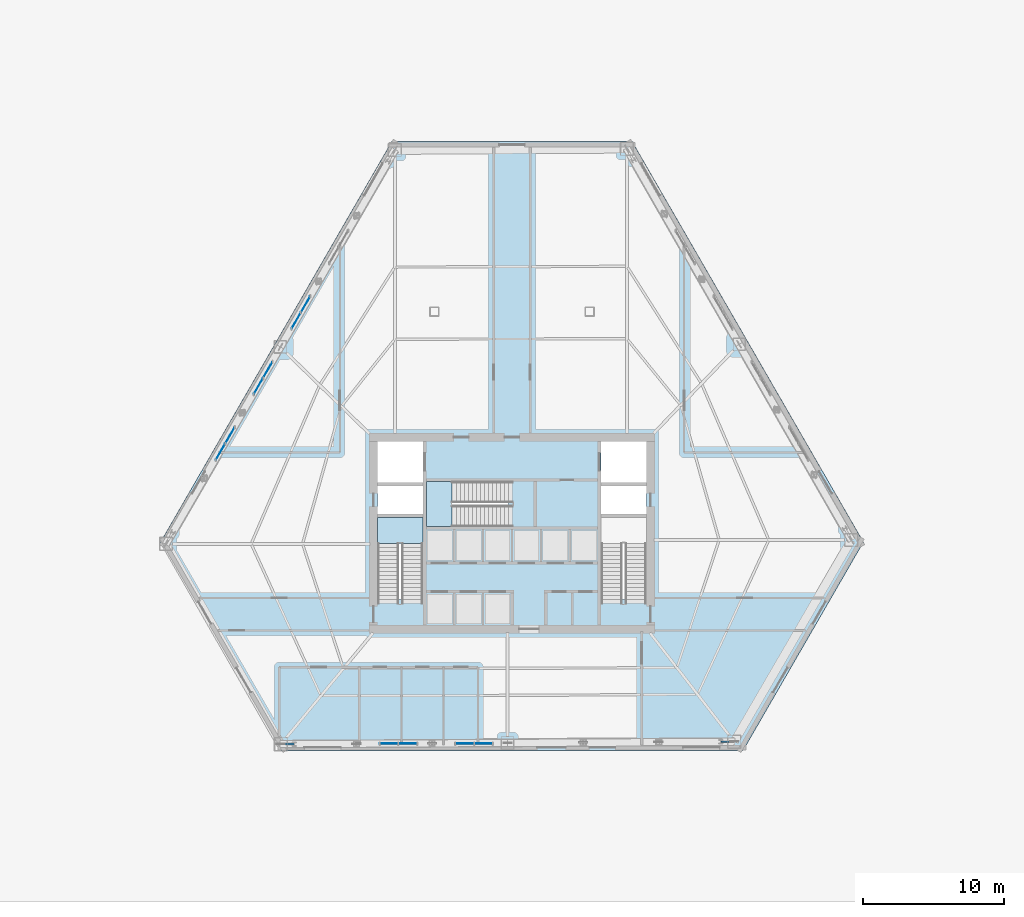
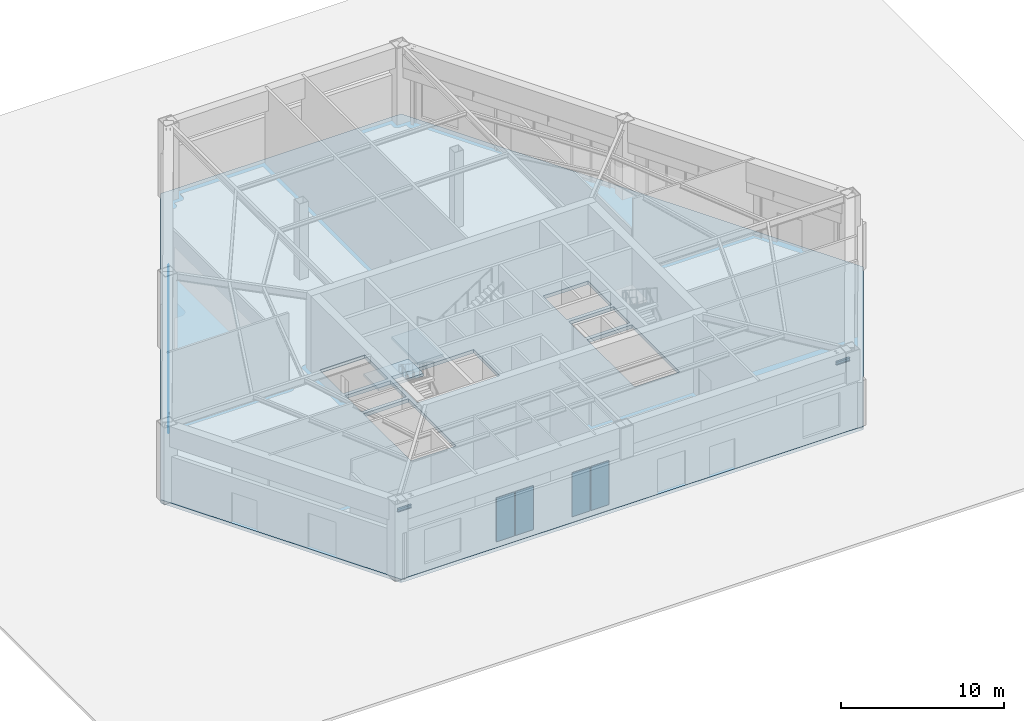
# One storey, part 9 of 20: 10 plates, 3 slabs, 2 beams, 7 elements without a shape of their own.
"""IFC4 building model written with IfcOpenShell, lengths in metres."""

import ifcopenshell
import ifcopenshell.guid

model = None  # the IFC model being written
_history = None  # IfcOwnerHistory: only IFC2X3 demands one
_inside = {}  # id of a spatial element -> (the spatial element, [elements in it])
_under = {}  # id of a project, library or spatial element -> (it, [spatial elements below it])
_declared = {}  # id of a project -> (the project, [libraries it declares])
_typed = {}  # id of a type object -> (the type object, [elements of that type])
_made_of = {}  # id of a material, layer set ... -> (it, [elements and type objects made of it])


def new_model(schema):
    """Start an empty IFC model of exactly this schema.

    Asked for "IFC4X3", IfcOpenShell would pick the latest addendum, in which some entities
    have other attributes; the version numbers below select the first issue.
    IFC2X3 requires an IfcOwnerHistory on every rooted entity: one is made here for all.
    """
    global model, _history
    if schema == "IFC4X3":
        model = ifcopenshell.file(schema_version=(4, 3, 0, 0))
    else:
        model = ifcopenshell.file(schema=schema)
    _inside.clear()
    _under.clear()
    _declared.clear()
    _typed.clear()
    _made_of.clear()
    _history = None
    if model.schema == "IFC2X3":
        org = make("IfcOrganization", Name="unknown")
        user = make(
            "IfcPersonAndOrganization",
            ThePerson=make("IfcPerson", FamilyName="unknown"),
            TheOrganization=org,
        )
        app = make(
            "IfcApplication",
            ApplicationDeveloper=org,
            Version="unknown",
            ApplicationFullName="unknown",
            ApplicationIdentifier="unknown",
        )
        _history = make(
            "IfcOwnerHistory",
            OwningUser=user,
            OwningApplication=app,
            ChangeAction="ADDED",
            CreationDate=0,
        )
    return model


def make(cls, **values):
    """One entity of the class cls with the attributes given. An attribute that is None is left unset."""
    return model.create_entity(
        cls, **{name: value for name, value in values.items() if value is not None}
    )


def rooted(cls, **values):
    """An entity with a GlobalId (a new one), such as an element, a storey or a relation."""
    return make(cls, GlobalId=ifcopenshell.guid.new(), OwnerHistory=_history, **values)


def si_unit(unit_type, name, prefix=None):
    """IfcSIUnit, for example si_unit("LENGTHUNIT", "METRE", prefix="MILLI")."""
    return make("IfcSIUnit", UnitType=unit_type, Prefix=prefix, Name=name)


def assignment(units):
    """IfcUnitAssignment: the units of a project."""
    return None if units is None else make("IfcUnitAssignment", Units=units)


def point(xyz):
    """IfcCartesianPoint."""
    return None if xyz is None else make("IfcCartesianPoint", Coordinates=xyz)


def direction(xyz):
    """IfcDirection."""
    return None if xyz is None else make("IfcDirection", DirectionRatios=xyz)


def frame(location, z_axis=None, x_axis=None):
    """IfcAxis2Placement3D, a coordinate frame: its origin and axes. An axis left out is left unset."""
    return make(
        "IfcAxis2Placement3D",
        Location=point(location),
        Axis=direction(z_axis),
        RefDirection=direction(x_axis),
    )


def frame_2d(location, x_axis=None):
    """IfcAxis2Placement2D, a coordinate frame in the plane: its origin and x axis."""
    return make(
        "IfcAxis2Placement2D", Location=point(location), RefDirection=direction(x_axis)
    )


def origin():
    """The frame at (0, 0, 0) with its axes left unset."""
    return frame((0.0, 0.0, 0.0))


def origin_2d():
    """The frame at (0, 0) in the plane with its x axis left unset."""
    return frame_2d((0.0, 0.0))


def place(relative_to, where):
    """IfcLocalPlacement: puts the frame where relative to a parent placement (None: the world)."""
    return make(
        "IfcLocalPlacement", PlacementRelTo=relative_to, RelativePlacement=where
    )


def context(
    kind, dimensions, precision=None, world=None, true_north=None, identifier=None
):
    """IfcGeometricRepresentationContext, for example the 3D "Model" context."""
    return make(
        "IfcGeometricRepresentationContext",
        ContextIdentifier=identifier,
        ContextType=kind,
        CoordinateSpaceDimension=dimensions,
        Precision=precision,
        WorldCoordinateSystem=world,
        TrueNorth=true_north,
    )


def subcontext(parent, identifier, kind, view, scale=None):
    """IfcGeometricRepresentationSubContext, for example "Body" below "Model"."""
    return make(
        "IfcGeometricRepresentationSubContext",
        ContextIdentifier=identifier,
        ContextType=kind,
        ParentContext=parent,
        TargetScale=scale,
        TargetView=view,
    )


def project(units=None, contexts=None):
    """IfcProject with its units and contexts."""
    return rooted(
        "IfcProject",
        Name="project",
        RepresentationContexts=contexts,
        UnitsInContext=assignment(units),
    )


def spatial(cls, under=None, at=None, **own):
    """A site, building, storey or space (cls), placed at a placement, below another one or the project."""
    s = rooted(cls, ObjectPlacement=at, **own)
    if under is not None:
        _under.setdefault(under.id(), (under, []))[1].append(s)
    return s


def polyline(points):
    """IfcPolyline through the points."""
    return make("IfcPolyline", Points=[point(p) for p in points])


def profile(cls, at=None, kind="AREA", **sizes):
    """A parametric profile (cls). Its sizes go by their IFC names, for example OverallWidth=200.0."""
    return make(cls, ProfileType=kind, Position=at, **sizes)


def rectangle(**sizes):
    """IfcRectangleProfileDef."""
    return profile("IfcRectangleProfileDef", **sizes)


def i_section(**sizes):
    """IfcIShapeProfileDef."""
    return profile("IfcIShapeProfileDef", **sizes)


def outline(outer, holes=None, kind="AREA"):
    """IfcArbitraryClosedProfileDef: a profile drawn as a closed curve; with holes, ...WithVoids."""
    if holes is None:
        return make("IfcArbitraryClosedProfileDef", ProfileType=kind, OuterCurve=outer)
    return make(
        "IfcArbitraryProfileDefWithVoids",
        ProfileType=kind,
        OuterCurve=outer,
        InnerCurves=holes,
    )


def extrude(swept, where, along, depth):
    """IfcExtrudedAreaSolid: the profile swept, set in the frame where, extruded along a direction by depth."""
    return make(
        "IfcExtrudedAreaSolid",
        SweptArea=swept,
        Position=where,
        ExtrudedDirection=direction(along),
        Depth=depth,
    )


def shape(context_of_items, identifier, shape_type, items):
    """IfcShapeRepresentation: the items that make up one representation, for example the "Body"."""
    return make(
        "IfcShapeRepresentation",
        ContextOfItems=context_of_items,
        RepresentationIdentifier=identifier,
        RepresentationType=shape_type,
        Items=items,
    )


def material(Name=None, Category=None):
    """IfcMaterial."""
    return make("IfcMaterial", Name=Name, Category=Category)


def layer(
    of_material, thickness, ventilated=None, Name=None, Category=None, Priority=None
):
    """IfcMaterialLayer: one layer of a wall or slab, of a material (None: an air gap)."""
    return make(
        "IfcMaterialLayer",
        Material=of_material,
        LayerThickness=thickness,
        IsVentilated=ventilated,
        Name=Name,
        Category=Category,
        Priority=Priority,
    )


def layer_set(layers, Name=None):
    """IfcMaterialLayerSet."""
    return make("IfcMaterialLayerSet", MaterialLayers=layers, LayerSetName=Name)


def material_profile(
    of_material, cross_section, Name=None, Category=None, Priority=None
):
    """IfcMaterialProfile: a cross section and its material."""
    return make(
        "IfcMaterialProfile",
        Name=Name,
        Material=of_material,
        Profile=cross_section,
        Priority=Priority,
        Category=Category,
    )


def profile_set(profiles, Name=None, composite=None):
    """IfcMaterialProfileSet."""
    return make(
        "IfcMaterialProfileSet",
        Name=Name,
        MaterialProfiles=profiles,
        CompositeProfile=composite,
    )


def made_of(thing, what):
    """Note that an element or type object is made of a material, layer set ...; save() writes the relation."""
    if what is not None:
        _made_of.setdefault(what.id(), (what, []))[1].append(thing)
    return thing


def type_object(cls, material=None, **own):
    """A type object (cls), such as IfcWallType, which elements share."""
    return made_of(rooted(cls, **own), material)


def element(
    cls,
    number,
    at=None,
    inside=None,
    cuts=None,
    type_object=None,
    material=None,
    context=None,
    identifier="Body",
    shape_type=None,
    held_by="IfcProductDefinitionShape",
    body=None,
    shapes=None,
    **own,
):
    """One element of the class cls, such as IfcWall. Its Tag is "e" and its number.

    at: its placement. inside: the storey or other place that contains it. cuts: it is an
    opening in that element (IfcRelVoidsElement). A single representation is given by context,
    identifier, shape_type and body (its items); several are given by shapes. held_by: the class
    of the entity that holds the representations. save() writes the other relations.
    """
    e = rooted(cls, Tag="e%d" % number, ObjectPlacement=at, **own)
    if body is not None:
        shapes = [shape(context, identifier, shape_type, body)]
    if shapes is not None:
        e.Representation = make(held_by, Representations=shapes)
    if inside is not None:
        _inside.setdefault(inside.id(), (inside, []))[1].append(e)
    if cuts is not None:
        rooted(
            "IfcRelVoidsElement", RelatingBuildingElement=cuts, RelatedOpeningElement=e
        )
    if type_object is not None:
        _typed.setdefault(type_object.id(), (type_object, []))[1].append(e)
    return made_of(e, material)


def aggregate(whole, parts):
    """IfcRelAggregates: a whole, such as a stair, and the parts it consists of."""
    return rooted("IfcRelAggregates", RelatingObject=whole, RelatedObjects=parts)


def save(model, path):
    """Write the relations noted so far, then the file.

    IfcRelAggregates (storeys below a building ...), IfcRelContainedInSpatialStructure (elements
    in a storey), IfcRelDefinesByType, IfcRelAssociatesMaterial and IfcRelDeclares: one each for
    every whole, place, type object, material and project.
    """
    for whole, parts in _under.values():
        aggregate(whole, parts)
    for where, things in _inside.values():
        rooted(
            "IfcRelContainedInSpatialStructure",
            RelatedElements=things,
            RelatingStructure=where,
        )
    for kind, things in _typed.values():
        rooted("IfcRelDefinesByType", RelatedObjects=things, RelatingType=kind)
    for what, things in _made_of.values():
        rooted("IfcRelAssociatesMaterial", RelatedObjects=things, RelatingMaterial=what)
    for by, libraries in _declared.values():
        rooted("IfcRelDeclares", RelatingContext=by, RelatedDefinitions=libraries)
    model.write(path)


model = new_model("IFC4")

# Units and contexts
model_context = context("Model", 3, precision=1e-05, world=origin(), true_north=direction((0.0, 1.0)))
body_context = subcontext(model_context, "Body", "Model", "MODEL_VIEW")
ifc_project = project(units=[si_unit("LENGTHUNIT", "METRE"), si_unit("AREAUNIT", "SQUARE_METRE"), si_unit("VOLUMEUNIT", "CUBIC_METRE"), si_unit("PLANEANGLEUNIT", "RADIAN"), si_unit("MASSUNIT", "GRAM", prefix="KILO")], contexts=[model_context])

# Site, building, storey
site_placement = place(None, origin())
site = spatial("IfcSite", under=ifc_project, at=site_placement, CompositionType="ELEMENT")
building_placement = place(site_placement, origin())
building = spatial("IfcBuilding", under=site, at=building_placement, Name="Kavelnor Concourse Tower", CompositionType="ELEMENT")
storey_placement = place(building_placement, origin())
storey = spatial("IfcBuildingStorey", under=building, at=storey_placement, Name="L00", CompositionType="ELEMENT", Elevation=0.0)

# Beams
ifc_material_1 = material(Name="Steel Grade 350", Category="steel")
ifc_material_profile = material_profile(ifc_material_1, i_section(OverallWidth=0.134033203125, OverallDepth=0.20703125, WebThickness=0.00634765625, FlangeThickness=0.009521484375, at=origin_2d()), Name="200UB29")
ifc_profile_set = profile_set([ifc_material_profile], Name="Steel Grade 350")
beam_type = type_object("IfcBeamType", Name="BM-LINTEL-200", PredefinedType="LINTEL", material=ifc_profile_set)
beam_1_placement = place(storey_placement, frame((21.62451171875, 1.142333984375, 4.89990234375), z_axis=(0.99998401611, 0.005653983129, 0.0), x_axis=(-0.005653983129, 0.99998401611, 0.0)))
element("IfcBeam", 1, at=beam_1_placement, inside=storey, type_object=beam_type, Name="L00 Pier Stiffener Header Lintel F1-A", PredefinedType="LINTEL", context=body_context, shape_type="SweptSolid", body=[
    extrude(i_section(OverallWidth=0.134033203125, OverallDepth=0.20703125, WebThickness=0.00634765625, FlangeThickness=0.009521484375, at=origin_2d()), origin(), (0.0, 0.0, 1.0), 0.949951171875),
])
beam_2_placement = place(storey_placement, frame((53.74560546875, 1.317626953125, 4.89990234375), z_axis=(-0.999985443618, -0.005395604912, 0.0), x_axis=(0.005395604912, -0.999985443618, 0.0)))
element("IfcBeam", 2, at=beam_2_placement, inside=storey, type_object=beam_type, Name="L00 Pier Stiffener Header Lintel F1-B", PredefinedType="LINTEL", context=body_context, shape_type="SweptSolid", body=[
    extrude(i_section(OverallWidth=0.134033203125, OverallDepth=0.20703125, WebThickness=0.00634765625, FlangeThickness=0.009521484375, at=origin_2d()), origin(), (0.0, 0.0, 1.0), 0.9501953125),
])

# Curtain wall, plates
ifc_material_2 = material(Name="Anodised aluminium 6063-T6", Category="aluminium")
ifc_layer_1 = layer(ifc_material_2, 0.199951171875, Name="Anodised aluminium 6063-T6")
ifc_layer_set_1 = layer_set([ifc_layer_1], Name="Anodised aluminium 6063-T6")
curtain_wall_type = type_object("IfcCurtainWallType", Name="CW-CONCOURSE", PredefinedType="NOTDEFINED", material=ifc_layer_set_1)
curtain_wall_1_placement = place(storey_placement, origin())
curtain_wall_1 = element("IfcCurtainWall", 3, at=curtain_wall_1_placement, inside=storey, type_object=curtain_wall_type, Name="L00 Street Concourse Shopfront Curtain Wall 2", PredefinedType="NOTDEFINED")
ifc_material_3 = material(Name="Double low-E argon insulated glazing", Category="glass")
ifc_layer_2 = layer(ifc_material_3, 0.031982421875, Name="Double low-E argon insulated glazing")
ifc_layer_set_2 = layer_set([ifc_layer_2], Name="Double low-E argon insulated glazing")
plate_type = type_object("IfcPlateType", Name="CW-CONCOURSE-PANEL", PredefinedType="CURTAIN_PANEL", material=ifc_layer_set_2)
plate_1_placement = place(storey_placement, frame((23.376708984375, 32.311767578125, 0.06005859375), z_axis=(0.0, 0.0, 1.0), x_axis=(-0.5, -0.866025403784, 0.0)))
plate_1 = element("IfcPlate", 4, at=plate_1_placement, type_object=plate_type, Name="L00 Street Concourse Shopfront Curtain Wall 2 Vision Panel 1", PredefinedType="CURTAIN_PANEL", context=body_context, shape_type="SweptSolid", body=[
    extrude(rectangle(XDim=1.27490234375, YDim=0.031982421875, at=origin_2d()), origin(), (0.0, 0.0, 1.0), 3.300048828125),
])
plate_2_placement = place(storey_placement, frame((22.709716796875, 31.15673828125, 0.06005859375), z_axis=(0.0, 0.0, 1.0), x_axis=(-0.5, -0.866025403784, 0.0)))
plate_2 = element("IfcPlate", 5, at=plate_2_placement, type_object=plate_type, Name="L00 Street Concourse Shopfront Curtain Wall 2 Vision Panel 2", PredefinedType="CURTAIN_PANEL", context=body_context, shape_type="SweptSolid", body=[
    extrude(rectangle(XDim=1.27490234375, YDim=0.031982421875, at=origin_2d()), origin(), (0.0, 0.0, 1.0), 3.300048828125),
])
aggregate(curtain_wall_1, [plate_1, plate_2])

curtain_wall_2_placement = place(storey_placement, origin())
curtain_wall_2 = element("IfcCurtainWall", 6, at=curtain_wall_2_placement, inside=storey, type_object=curtain_wall_type, Name="L00 Street Concourse Shopfront Curtain Wall 3", PredefinedType="NOTDEFINED")
plate_3_placement = place(storey_placement, frame((20.69287109375, 27.663330078125, 0.06005859375), z_axis=(0.0, 0.0, 1.0), x_axis=(-0.5, -0.866025403784, 0.0)))
plate_3 = element("IfcPlate", 7, at=plate_3_placement, type_object=plate_type, Name="L00 Street Concourse Shopfront Curtain Wall 3 Vision Panel 1", PredefinedType="CURTAIN_PANEL", context=body_context, shape_type="SweptSolid", body=[
    extrude(rectangle(XDim=1.27490234375, YDim=0.031982421875, at=origin_2d()), origin(), (0.0, 0.0, 1.0), 3.300048828125),
])
plate_4_placement = place(storey_placement, frame((20.02587890625, 26.50830078125, 0.06005859375), z_axis=(0.0, 0.0, 1.0), x_axis=(-0.5, -0.866025403784, 0.0)))
plate_4 = element("IfcPlate", 8, at=plate_4_placement, type_object=plate_type, Name="L00 Street Concourse Shopfront Curtain Wall 3 Vision Panel 2", PredefinedType="CURTAIN_PANEL", context=body_context, shape_type="SweptSolid", body=[
    extrude(rectangle(XDim=1.27490234375, YDim=0.031982421875, at=origin_2d()), origin(), (0.0, 0.0, 1.0), 3.300048828125),
])
aggregate(curtain_wall_2, [plate_3, plate_4])

curtain_wall_3_placement = place(storey_placement, origin())
curtain_wall_3 = element("IfcCurtainWall", 9, at=curtain_wall_3_placement, inside=storey, type_object=curtain_wall_type, Name="L00 Street Concourse Shopfront Curtain Wall 4", PredefinedType="NOTDEFINED")
plate_5_placement = place(storey_placement, frame((18.00927734375, 23.014892578125, 0.06005859375), z_axis=(0.0, 0.0, 1.0), x_axis=(-0.5, -0.866025403784, 0.0)))
plate_5 = element("IfcPlate", 10, at=plate_5_placement, type_object=plate_type, Name="L00 Street Concourse Shopfront Curtain Wall 4 Vision Panel 1", PredefinedType="CURTAIN_PANEL", context=body_context, shape_type="SweptSolid", body=[
    extrude(rectangle(XDim=1.27490234375, YDim=0.031982421875, at=origin_2d()), origin(), (0.0, 0.0, 1.0), 3.300048828125),
])
plate_6_placement = place(storey_placement, frame((17.34228515625, 21.859619140625, 0.06005859375), z_axis=(0.0, 0.0, 1.0), x_axis=(-0.5, -0.866025403784, 0.0)))
plate_6 = element("IfcPlate", 11, at=plate_6_placement, type_object=plate_type, Name="L00 Street Concourse Shopfront Curtain Wall 4 Vision Panel 2", PredefinedType="CURTAIN_PANEL", context=body_context, shape_type="SweptSolid", body=[
    extrude(rectangle(XDim=1.27490234375, YDim=0.031982421875, at=origin_2d()), origin(), (0.0, 0.0, 1.0), 3.300048828125),
])
aggregate(curtain_wall_3, [plate_5, plate_6])

curtain_wall_4_placement = place(storey_placement, origin())
curtain_wall_4 = element("IfcCurtainWall", 12, at=curtain_wall_4_placement, inside=storey, type_object=curtain_wall_type, Name="L00 Street Concourse Shopfront Curtain Wall 5", PredefinedType="NOTDEFINED")
plate_7_placement = place(storey_placement, frame((29.281494140625, 1.179931640625, 0.06005859375), z_axis=(0.0, 0.0, 1.0), x_axis=(1.0, 0.0, 0.0)))
plate_7 = element("IfcPlate", 13, at=plate_7_placement, type_object=plate_type, Name="L00 Street Concourse Shopfront Curtain Wall 5 Vision Panel 1", PredefinedType="CURTAIN_PANEL", context=body_context, shape_type="SweptSolid", body=[
    extrude(rectangle(XDim=1.27490234375, YDim=0.031982421875, at=origin_2d()), origin(), (0.0, 0.0, 1.0), 3.300048828125),
])
plate_8_placement = place(storey_placement, frame((30.615478515625, 1.179931640625, 0.06005859375), z_axis=(0.0, 0.0, 1.0), x_axis=(1.0, 0.0, 0.0)))
plate_8 = element("IfcPlate", 14, at=plate_8_placement, type_object=plate_type, Name="L00 Street Concourse Shopfront Curtain Wall 5 Vision Panel 2", PredefinedType="CURTAIN_PANEL", context=body_context, shape_type="SweptSolid", body=[
    extrude(rectangle(XDim=1.27490234375, YDim=0.031982421875, at=origin_2d()), origin(), (0.0, 0.0, 1.0), 3.300048828125),
])
aggregate(curtain_wall_4, [plate_7, plate_8])

curtain_wall_5_placement = place(storey_placement, origin())
curtain_wall_5 = element("IfcCurtainWall", 15, at=curtain_wall_5_placement, inside=storey, type_object=curtain_wall_type, Name="L00 Street Concourse Shopfront Curtain Wall 6", PredefinedType="NOTDEFINED")
plate_9_placement = place(storey_placement, frame((34.6494140625, 1.179931640625, 0.06005859375), z_axis=(0.0, 0.0, 1.0), x_axis=(1.0, 0.0, 0.0)))
plate_9 = element("IfcPlate", 16, at=plate_9_placement, type_object=plate_type, Name="L00 Street Concourse Shopfront Curtain Wall 6 Vision Panel 1", PredefinedType="CURTAIN_PANEL", context=body_context, shape_type="SweptSolid", body=[
    extrude(rectangle(XDim=1.27490234375, YDim=0.031982421875, at=origin_2d()), origin(), (0.0, 0.0, 1.0), 3.300048828125),
])
plate_10_placement = place(storey_placement, frame((35.983154296875, 1.179931640625, 0.06005859375), z_axis=(0.0, 0.0, 1.0), x_axis=(1.0, 0.0, 0.0)))
plate_10 = element("IfcPlate", 17, at=plate_10_placement, type_object=plate_type, Name="L00 Street Concourse Shopfront Curtain Wall 6 Vision Panel 2", PredefinedType="CURTAIN_PANEL", context=body_context, shape_type="SweptSolid", body=[
    extrude(rectangle(XDim=1.27490234375, YDim=0.031982421875, at=origin_2d()), origin(), (0.0, 0.0, 1.0), 3.300048828125),
])
aggregate(curtain_wall_5, [plate_9, plate_10])

# Slab
ifc_material_4 = material(Name="Concrete C40/50", Category="concrete")
ifc_layer_3 = layer(ifc_material_4, 0.260009765625, Name="Concrete C40/50")
ifc_layer_set_3 = layer_set([ifc_layer_3], Name="Concrete C40/50")
slab_type_1 = type_object("IfcSlabType", Name="SLB-CONCOURSE-260", PredefinedType="FLOOR", material=ifc_layer_set_3)
slab_1_placement = place(storey_placement, frame((0.0, 0.0, -0.260009765625)))
element("IfcSlab", 18, at=slab_1_placement, inside=storey, type_object=slab_type_1, Name="L00 Composite Structural Floor Slab", PredefinedType="FLOOR", context=body_context, shape_type="SweptSolid", body=[
    extrude(outline(polyline([(46.5244140625, 43.83544921875), (29.4755859375, 43.83544921875), (13.095703125, 15.464599609375), (21.6201171875, 0.699951171875), (54.3798828125, 0.699951171875), (62.904296875, 15.464599609375), (46.5244140625, 43.83544921875)]), holes=[polyline([(28.47998046875, 11.3798828125), (31.679931640625, 11.3798828125), (31.679931640625, 17.199951171875), (28.47998046875, 17.199951171875), (28.47998046875, 11.3798828125)]), polyline([(44.320068359375, 11.3798828125), (47.52001953125, 11.3798828125), (47.52001953125, 17.199951171875), (44.320068359375, 17.199951171875), (44.320068359375, 11.3798828125)]), polyline([(31.93994140625, 16.56005859375), (37.760009765625, 16.56005859375), (37.760009765625, 19.760009765625), (31.93994140625, 19.760009765625), (31.93994140625, 16.56005859375)]), polyline([(28.47998046875, 19.699951171875), (31.679931640625, 19.699951171875), (31.679931640625, 22.60009765625), (28.47998046875, 22.60009765625), (28.47998046875, 19.699951171875)]), polyline([(44.320068359375, 19.699951171875), (47.52001953125, 19.699951171875), (47.52001953125, 22.60009765625), (44.320068359375, 22.60009765625), (44.320068359375, 19.699951171875)]), polyline([(28.47998046875, 17.4599609375), (31.679931640625, 17.4599609375), (31.679931640625, 19.43994140625), (28.47998046875, 19.43994140625), (28.47998046875, 17.4599609375)]), polyline([(44.320068359375, 17.4599609375), (47.52001953125, 17.4599609375), (47.52001953125, 19.43994140625), (44.320068359375, 19.43994140625), (44.320068359375, 17.4599609375)])]), origin(), (0.0, 0.0, 1.0), 0.260009765625),
])

# Stair, slab
stair_type = type_object("IfcStairType", Name="STR-CORE-1500", PredefinedType="HALF_TURN_STAIR", material=ifc_material_4)
stair_1_placement = place(storey_placement, origin())
stair_1 = element("IfcStair", 19, at=stair_1_placement, inside=storey, type_object=stair_type, Name="L00 ST1", PredefinedType="HALF_TURN_STAIR")
ifc_layer_4 = layer(ifc_material_4, 0.199951171875, Name="Concrete C40/50")
ifc_layer_set_4 = layer_set([ifc_layer_4], Name="Concrete C40/50")
slab_type_2 = type_object("IfcSlabType", Name="SLB-LANDING-200", PredefinedType="LANDING", material=ifc_layer_set_4)
slab_2_placement = place(storey_placement, frame((0.0, 0.0, 2.800048828125)))
slab_2 = element("IfcSlab", 20, at=slab_2_placement, type_object=slab_type_2, Name="ST1 landing 1", PredefinedType="LANDING", context=body_context, shape_type="SweptSolid", body=[
    extrude(outline(polyline([(31.679931640625, 15.375), (31.679931640625, 17.199951171875), (28.47998046875, 17.199951171875), (28.47998046875, 15.375), (31.679931640625, 15.375)])), origin(), (0.0, 0.0, 1.0), 0.199951171875),
])
aggregate(stair_1, [slab_2])

stair_2_placement = place(storey_placement, origin())
stair_2 = element("IfcStair", 21, at=stair_2_placement, inside=storey, type_object=stair_type, Name="L00 ST3", PredefinedType="HALF_TURN_STAIR")
slab_3_placement = place(storey_placement, frame((0.0, 0.0, 2.800048828125)))
slab_3 = element("IfcSlab", 22, at=slab_3_placement, type_object=slab_type_2, Name="ST3 landing 1", PredefinedType="LANDING", context=body_context, shape_type="SweptSolid", body=[
    extrude(outline(polyline([(33.764892578125, 19.760009765625), (31.93994140625, 19.760009765625), (31.93994140625, 16.56005859375), (33.764892578125, 16.56005859375), (33.764892578125, 19.760009765625)])), origin(), (0.0, 0.0, 1.0), 0.199951171875),
])
aggregate(stair_2, [slab_3])

save(model, "model.ifc")
